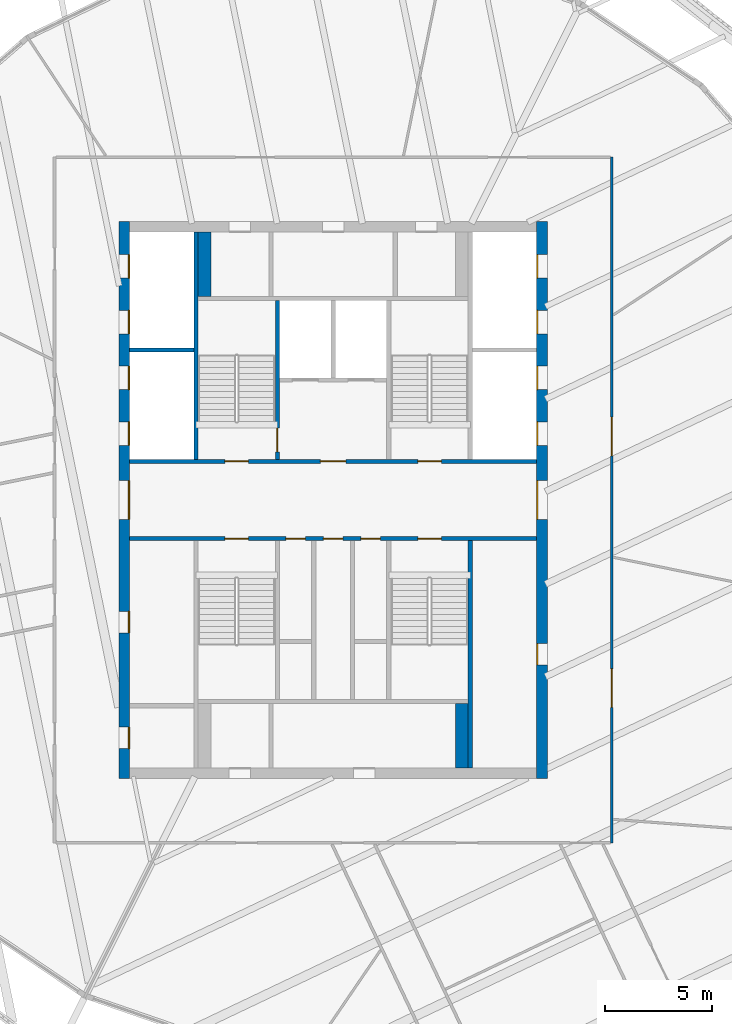
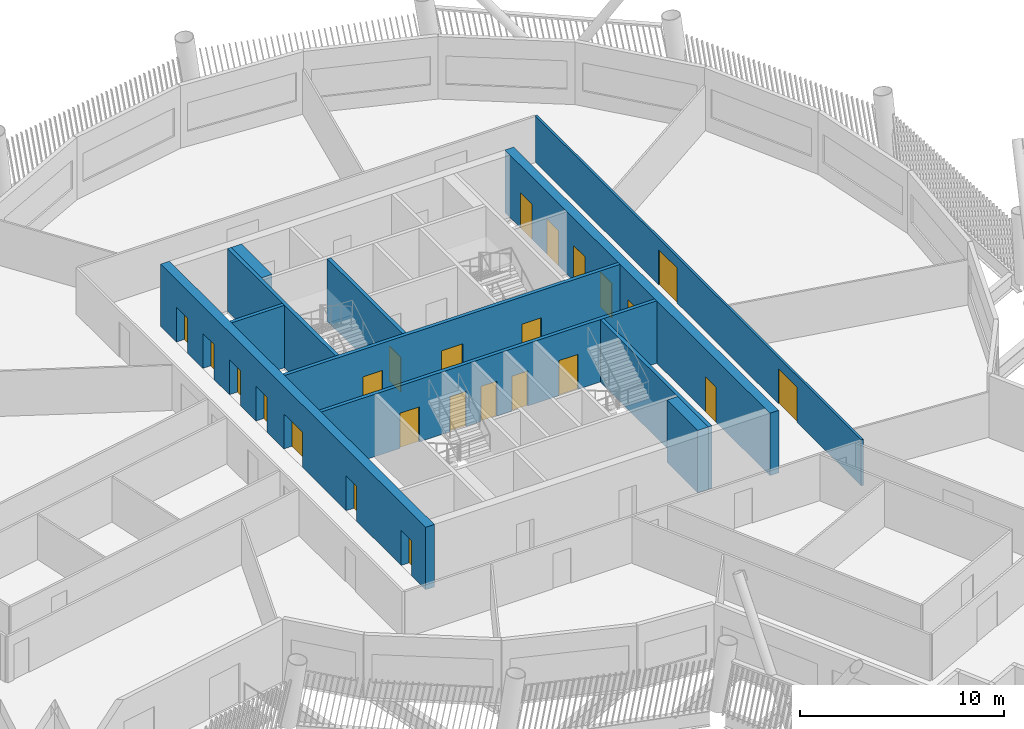
# One storey, part 5 of 21: 24 doors, 11 walls, 24 openings.
"""IFC4 building model written with IfcOpenShell, lengths in metres."""

import ifcopenshell
import ifcopenshell.guid

model = None  # the IFC model being written
_history = None  # IfcOwnerHistory: only IFC2X3 demands one
_inside = {}  # id of a spatial element -> (the spatial element, [elements in it])
_under = {}  # id of a project, library or spatial element -> (it, [spatial elements below it])
_declared = {}  # id of a project -> (the project, [libraries it declares])
_typed = {}  # id of a type object -> (the type object, [elements of that type])
_made_of = {}  # id of a material, layer set ... -> (it, [elements and type objects made of it])


def new_model(schema):
    """Start an empty IFC model of exactly this schema.

    Asked for "IFC4X3", IfcOpenShell would pick the latest addendum, in which some entities
    have other attributes; the version numbers below select the first issue.
    IFC2X3 requires an IfcOwnerHistory on every rooted entity: one is made here for all.
    """
    global model, _history
    if schema == "IFC4X3":
        model = ifcopenshell.file(schema_version=(4, 3, 0, 0))
    else:
        model = ifcopenshell.file(schema=schema)
    _inside.clear()
    _under.clear()
    _declared.clear()
    _typed.clear()
    _made_of.clear()
    _history = None
    if model.schema == "IFC2X3":
        org = make("IfcOrganization", Name="unknown")
        user = make(
            "IfcPersonAndOrganization",
            ThePerson=make("IfcPerson", FamilyName="unknown"),
            TheOrganization=org,
        )
        app = make(
            "IfcApplication",
            ApplicationDeveloper=org,
            Version="unknown",
            ApplicationFullName="unknown",
            ApplicationIdentifier="unknown",
        )
        _history = make(
            "IfcOwnerHistory",
            OwningUser=user,
            OwningApplication=app,
            ChangeAction="ADDED",
            CreationDate=0,
        )
    return model


def make(cls, **values):
    """One entity of the class cls with the attributes given. An attribute that is None is left unset."""
    return model.create_entity(
        cls, **{name: value for name, value in values.items() if value is not None}
    )


def rooted(cls, **values):
    """An entity with a GlobalId (a new one), such as an element, a storey or a relation."""
    return make(cls, GlobalId=ifcopenshell.guid.new(), OwnerHistory=_history, **values)


def si_unit(unit_type, name, prefix=None):
    """IfcSIUnit, for example si_unit("LENGTHUNIT", "METRE", prefix="MILLI")."""
    return make("IfcSIUnit", UnitType=unit_type, Prefix=prefix, Name=name)


def assignment(units):
    """IfcUnitAssignment: the units of a project."""
    return None if units is None else make("IfcUnitAssignment", Units=units)


def point(xyz):
    """IfcCartesianPoint."""
    return None if xyz is None else make("IfcCartesianPoint", Coordinates=xyz)


def direction(xyz):
    """IfcDirection."""
    return None if xyz is None else make("IfcDirection", DirectionRatios=xyz)


def frame(location, z_axis=None, x_axis=None):
    """IfcAxis2Placement3D, a coordinate frame: its origin and axes. An axis left out is left unset."""
    return make(
        "IfcAxis2Placement3D",
        Location=point(location),
        Axis=direction(z_axis),
        RefDirection=direction(x_axis),
    )


def frame_2d(location, x_axis=None):
    """IfcAxis2Placement2D, a coordinate frame in the plane: its origin and x axis."""
    return make(
        "IfcAxis2Placement2D", Location=point(location), RefDirection=direction(x_axis)
    )


def origin():
    """The frame at (0, 0, 0) with its axes left unset."""
    return frame((0.0, 0.0, 0.0))


def place(relative_to, where):
    """IfcLocalPlacement: puts the frame where relative to a parent placement (None: the world)."""
    return make(
        "IfcLocalPlacement", PlacementRelTo=relative_to, RelativePlacement=where
    )


def context(
    kind, dimensions, precision=None, world=None, true_north=None, identifier=None
):
    """IfcGeometricRepresentationContext, for example the 3D "Model" context."""
    return make(
        "IfcGeometricRepresentationContext",
        ContextIdentifier=identifier,
        ContextType=kind,
        CoordinateSpaceDimension=dimensions,
        Precision=precision,
        WorldCoordinateSystem=world,
        TrueNorth=true_north,
    )


def subcontext(parent, identifier, kind, view, scale=None):
    """IfcGeometricRepresentationSubContext, for example "Body" below "Model"."""
    return make(
        "IfcGeometricRepresentationSubContext",
        ContextIdentifier=identifier,
        ContextType=kind,
        ParentContext=parent,
        TargetScale=scale,
        TargetView=view,
    )


def project(units=None, contexts=None):
    """IfcProject with its units and contexts."""
    return rooted(
        "IfcProject",
        Name="project",
        RepresentationContexts=contexts,
        UnitsInContext=assignment(units),
    )


def spatial(cls, under=None, at=None, **own):
    """A site, building, storey or space (cls), placed at a placement, below another one or the project."""
    s = rooted(cls, ObjectPlacement=at, **own)
    if under is not None:
        _under.setdefault(under.id(), (under, []))[1].append(s)
    return s


def profile(cls, at=None, kind="AREA", **sizes):
    """A parametric profile (cls). Its sizes go by their IFC names, for example OverallWidth=200.0."""
    return make(cls, ProfileType=kind, Position=at, **sizes)


def rectangle(**sizes):
    """IfcRectangleProfileDef."""
    return profile("IfcRectangleProfileDef", **sizes)


def extrude(swept, where, along, depth):
    """IfcExtrudedAreaSolid: the profile swept, set in the frame where, extruded along a direction by depth."""
    return make(
        "IfcExtrudedAreaSolid",
        SweptArea=swept,
        Position=where,
        ExtrudedDirection=direction(along),
        Depth=depth,
    )


def shape(context_of_items, identifier, shape_type, items):
    """IfcShapeRepresentation: the items that make up one representation, for example the "Body"."""
    return make(
        "IfcShapeRepresentation",
        ContextOfItems=context_of_items,
        RepresentationIdentifier=identifier,
        RepresentationType=shape_type,
        Items=items,
    )


def material(Name=None, Category=None):
    """IfcMaterial."""
    return make("IfcMaterial", Name=Name, Category=Category)


def layer(
    of_material, thickness, ventilated=None, Name=None, Category=None, Priority=None
):
    """IfcMaterialLayer: one layer of a wall or slab, of a material (None: an air gap)."""
    return make(
        "IfcMaterialLayer",
        Material=of_material,
        LayerThickness=thickness,
        IsVentilated=ventilated,
        Name=Name,
        Category=Category,
        Priority=Priority,
    )


def layer_set(layers, Name=None):
    """IfcMaterialLayerSet."""
    return make("IfcMaterialLayerSet", MaterialLayers=layers, LayerSetName=Name)


def made_of(thing, what):
    """Note that an element or type object is made of a material, layer set ...; save() writes the relation."""
    if what is not None:
        _made_of.setdefault(what.id(), (what, []))[1].append(thing)
    return thing


def type_object(cls, material=None, **own):
    """A type object (cls), such as IfcWallType, which elements share."""
    return made_of(rooted(cls, **own), material)


def element(
    cls,
    number,
    at=None,
    inside=None,
    cuts=None,
    type_object=None,
    material=None,
    context=None,
    identifier="Body",
    shape_type=None,
    held_by="IfcProductDefinitionShape",
    body=None,
    shapes=None,
    **own,
):
    """One element of the class cls, such as IfcWall. Its Tag is "e" and its number.

    at: its placement. inside: the storey or other place that contains it. cuts: it is an
    opening in that element (IfcRelVoidsElement). A single representation is given by context,
    identifier, shape_type and body (its items); several are given by shapes. held_by: the class
    of the entity that holds the representations. save() writes the other relations.
    """
    e = rooted(cls, Tag="e%d" % number, ObjectPlacement=at, **own)
    if body is not None:
        shapes = [shape(context, identifier, shape_type, body)]
    if shapes is not None:
        e.Representation = make(held_by, Representations=shapes)
    if inside is not None:
        _inside.setdefault(inside.id(), (inside, []))[1].append(e)
    if cuts is not None:
        rooted(
            "IfcRelVoidsElement", RelatingBuildingElement=cuts, RelatedOpeningElement=e
        )
    if type_object is not None:
        _typed.setdefault(type_object.id(), (type_object, []))[1].append(e)
    return made_of(e, material)


def fill(opening, filler):
    """IfcRelFillsElement: the door or window that sits in an opening."""
    return rooted(
        "IfcRelFillsElement",
        RelatingOpeningElement=opening,
        RelatedBuildingElement=filler,
    )


def aggregate(whole, parts):
    """IfcRelAggregates: a whole, such as a stair, and the parts it consists of."""
    return rooted("IfcRelAggregates", RelatingObject=whole, RelatedObjects=parts)


def save(model, path):
    """Write the relations noted so far, then the file.

    IfcRelAggregates (storeys below a building ...), IfcRelContainedInSpatialStructure (elements
    in a storey), IfcRelDefinesByType, IfcRelAssociatesMaterial and IfcRelDeclares: one each for
    every whole, place, type object, material and project.
    """
    for whole, parts in _under.values():
        aggregate(whole, parts)
    for where, things in _inside.values():
        rooted(
            "IfcRelContainedInSpatialStructure",
            RelatedElements=things,
            RelatingStructure=where,
        )
    for kind, things in _typed.values():
        rooted("IfcRelDefinesByType", RelatedObjects=things, RelatingType=kind)
    for what, things in _made_of.values():
        rooted("IfcRelAssociatesMaterial", RelatedObjects=things, RelatingMaterial=what)
    for by, libraries in _declared.values():
        rooted("IfcRelDeclares", RelatingContext=by, RelatedDefinitions=libraries)
    model.write(path)


model = new_model("IFC4")

# Units and contexts
model_context = context("Model", 3, precision=1e-05, world=origin(), true_north=direction((0.0, 1.0)))
body_context = subcontext(model_context, "Body", "Model", "MODEL_VIEW")
ifc_project = project(units=[si_unit("LENGTHUNIT", "METRE"), si_unit("AREAUNIT", "SQUARE_METRE"), si_unit("VOLUMEUNIT", "CUBIC_METRE"), si_unit("PLANEANGLEUNIT", "RADIAN"), si_unit("MASSUNIT", "GRAM", prefix="KILO")], contexts=[model_context])

# Site, building, storey
site_placement = place(None, origin())
site = spatial("IfcSite", under=ifc_project, at=site_placement, CompositionType="ELEMENT")
building_placement = place(site_placement, origin())
building = spatial("IfcBuilding", under=site, at=building_placement, Name="Tarsis Ring Headquarters", CompositionType="ELEMENT")
storey_placement = place(building_placement, frame((0.0, 0.0, 331.39990234375)))
storey = spatial("IfcBuildingStorey", under=building, at=storey_placement, Name="L78", CompositionType="ELEMENT", Elevation=331.39990234375)

# Wall, openings, doors
ifc_material_1 = material(Name="Concrete C50/60", Category="concrete")
ifc_layer_1 = layer(ifc_material_1, 0.5)
ifc_layer_set_1 = layer_set([ifc_layer_1], Name="Core wall 500 C50/60")
wall_type_1 = type_object("IfcWallType", Name="Core wall 500 C50/60", PredefinedType="SHEAR", material=ifc_layer_set_1)
wall_1_placement = place(storey_placement, frame((-9.75, -13.0, 0.0), z_axis=(0.0, 0.0, 1.0), x_axis=(0.0, 1.0, 0.0)))
wall_1 = element("IfcWall", 1, at=wall_1_placement, inside=storey, type_object=wall_type_1, Name="Core wall OW", PredefinedType="SHEAR", context=body_context, shape_type="SweptSolid", body=[
    extrude(rectangle(XDim=26.0, YDim=0.5, at=frame_2d((13.0, 0.0))), origin(), (0.0, 0.0, 1.0), 3.739990234375),
])
opening_1_placement = place(wall_1_placement, frame((1.39990234375, 0.0, 0.0)))
opening_1 = element("IfcOpeningElement", 2, at=opening_1_placement, cuts=wall_1, Name="Opening L78-C01", PredefinedType="OPENING", context=body_context, shape_type="SweptSolid", body=[
    extrude(rectangle(XDim=1.0, YDim=2.10009765625, at=frame_2d((0.5, 1.050048828125))), frame((0.0, 0.260009765625, 0.0), z_axis=(0.0, -1.0, 0.0), x_axis=(1.0, 0.0, 0.0)), (0.0, 0.0, 1.0), 0.52001953125),
])
opening_2_placement = place(wall_1_placement, frame((6.800048828125, 0.0, 0.0)))
opening_2 = element("IfcOpeningElement", 3, at=opening_2_placement, cuts=wall_1, Name="Opening L78-C02", PredefinedType="OPENING", context=body_context, shape_type="SweptSolid", body=[
    extrude(rectangle(XDim=1.0, YDim=2.10009765625, at=frame_2d((0.5, 1.050048828125))), frame((0.0, 0.260009765625, 0.0), z_axis=(0.0, -1.0, 0.0), x_axis=(1.0, 0.0, 0.0)), (0.0, 0.0, 1.0), 0.52001953125),
])
opening_3_placement = place(wall_1_placement, frame((12.10009765625, 0.0, 0.0)))
opening_3 = element("IfcOpeningElement", 4, at=opening_3_placement, cuts=wall_1, Name="Opening L78-C03", PredefinedType="OPENING", context=body_context, shape_type="SweptSolid", body=[
    extrude(rectangle(XDim=1.800048828125, YDim=2.10009765625, at=frame_2d((0.89990234375, 1.050048828125))), frame((0.0, 0.260009765625, 0.0), z_axis=(0.0, -1.0, 0.0), x_axis=(1.0, 0.0, 0.0)), (0.0, 0.0, 1.0), 0.52001953125),
])
opening_4_placement = place(wall_1_placement, frame((15.550048828125, 0.0, 0.0)))
opening_4 = element("IfcOpeningElement", 5, at=opening_4_placement, cuts=wall_1, Name="Opening LD-HR1", PredefinedType="OPENING", context=body_context, shape_type="SweptSolid", body=[
    extrude(rectangle(XDim=1.10009765625, YDim=2.10009765625, at=frame_2d((0.550048828125, 1.050048828125))), frame((0.0, 0.260009765625, 0.0), z_axis=(0.0, -1.0, 0.0), x_axis=(1.0, 0.0, 0.0)), (0.0, 0.0, 1.0), 0.52001953125),
])
opening_5_placement = place(wall_1_placement, frame((18.14990234375, 0.0, 0.0)))
opening_5 = element("IfcOpeningElement", 6, at=opening_5_placement, cuts=wall_1, Name="Opening LD-HR2", PredefinedType="OPENING", context=body_context, shape_type="SweptSolid", body=[
    extrude(rectangle(XDim=1.10009765625, YDim=2.10009765625, at=frame_2d((0.550048828125, 1.050048828125))), frame((0.0, 0.260009765625, 0.0), z_axis=(0.0, -1.0, 0.0), x_axis=(1.0, 0.0, 0.0)), (0.0, 0.0, 1.0), 0.52001953125),
])
opening_6_placement = place(wall_1_placement, frame((20.75, 0.0, 0.0)))
opening_6 = element("IfcOpeningElement", 7, at=opening_6_placement, cuts=wall_1, Name="Opening LD-HR3", PredefinedType="OPENING", context=body_context, shape_type="SweptSolid", body=[
    extrude(rectangle(XDim=1.10009765625, YDim=2.10009765625, at=frame_2d((0.550048828125, 1.050048828125))), frame((0.0, 0.260009765625, 0.0), z_axis=(0.0, -1.0, 0.0), x_axis=(1.0, 0.0, 0.0)), (0.0, 0.0, 1.0), 0.52001953125),
])
opening_7_placement = place(wall_1_placement, frame((23.35009765625, 0.0, 0.0)))
opening_7 = element("IfcOpeningElement", 8, at=opening_7_placement, cuts=wall_1, Name="Opening LD-HR4", PredefinedType="OPENING", context=body_context, shape_type="SweptSolid", body=[
    extrude(rectangle(XDim=1.10009765625, YDim=2.10009765625, at=frame_2d((0.550048828125, 1.050048828125))), frame((0.0, 0.260009765625, 0.0), z_axis=(0.0, -1.0, 0.0), x_axis=(1.0, 0.0, 0.0)), (0.0, 0.0, 1.0), 0.52001953125),
])
ifc_material_2 = material(Name="Steel S355", Category="steel")
door_type_1 = type_object("IfcDoorType", Name="Core entry door 1800x2100", OperationType="DOUBLE_DOOR_SINGLE_SWING", PredefinedType="DOOR", material=ifc_material_2)
door_1_placement = place(opening_3_placement, origin())
door_1 = element("IfcDoor", 9, at=door_1_placement, inside=storey, type_object=door_type_1, Name="Core entry door L78", OperationType="DOUBLE_DOOR_SINGLE_SWING", OverallHeight=2.10009765625, OverallWidth=1.800048828125, PredefinedType="DOOR", context=body_context, shape_type="SweptSolid", body=[
    extrude(rectangle(XDim=1.800048828125, YDim=2.10009765625, at=frame_2d((0.89990234375, 1.050048828125))), frame((0.0, -0.2001953125, 0.0), z_axis=(0.0, -1.0, 0.0), x_axis=(1.0, 0.0, 0.0)), (0.0, 0.0, 1.0), 0.050048828125),
])
fill(opening_3, door_1)
door_type_2 = type_object("IfcDoorType", Name="Core room door 1000x2100", OperationType="SINGLE_SWING_LEFT", PredefinedType="DOOR", material=ifc_material_2)
door_2_placement = place(opening_1_placement, origin())
door_2 = element("IfcDoor", 10, at=door_2_placement, inside=storey, type_object=door_type_2, Name="Core room door L78", OperationType="SINGLE_SWING_LEFT", OverallHeight=2.10009765625, OverallWidth=1.0, PredefinedType="DOOR", context=body_context, shape_type="SweptSolid", body=[
    extrude(rectangle(XDim=1.0, YDim=2.10009765625, at=frame_2d((0.5, 1.050048828125))), frame((0.0, -0.2001953125, 0.0), z_axis=(0.0, -1.0, 0.0), x_axis=(1.0, 0.0, 0.0)), (0.0, 0.0, 1.0), 0.050048828125),
])
fill(opening_1, door_2)
door_3_placement = place(opening_2_placement, origin())
door_3 = element("IfcDoor", 11, at=door_3_placement, inside=storey, type_object=door_type_2, Name="Core room door L78", OperationType="SINGLE_SWING_LEFT", OverallHeight=2.10009765625, OverallWidth=1.0, PredefinedType="DOOR", context=body_context, shape_type="SweptSolid", body=[
    extrude(rectangle(XDim=1.0, YDim=2.10009765625, at=frame_2d((0.5, 1.050048828125))), frame((0.0, -0.2001953125, 0.0), z_axis=(0.0, -1.0, 0.0), x_axis=(1.0, 0.0, 0.0)), (0.0, 0.0, 1.0), 0.050048828125),
])
fill(opening_2, door_3)
door_type_3 = type_object("IfcDoorType", Name="Landing door 1100x2100", OperationType="SLIDING_TO_LEFT", PredefinedType="DOOR", material=ifc_material_2)
door_4_placement = place(opening_4_placement, origin())
door_4 = element("IfcDoor", 12, at=door_4_placement, inside=storey, type_object=door_type_3, Name="Landing door HR1 L78", OperationType="SLIDING_TO_LEFT", OverallHeight=2.10009765625, OverallWidth=1.10009765625, PredefinedType="DOOR", context=body_context, shape_type="SweptSolid", body=[
    extrude(rectangle(XDim=1.10009765625, YDim=2.10009765625, at=frame_2d((0.550048828125, 1.050048828125))), frame((0.0, -0.2001953125, 0.0), z_axis=(0.0, -1.0, 0.0), x_axis=(1.0, 0.0, 0.0)), (0.0, 0.0, 1.0), 0.050048828125),
])
fill(opening_4, door_4)
door_5_placement = place(opening_5_placement, origin())
door_5 = element("IfcDoor", 13, at=door_5_placement, inside=storey, type_object=door_type_3, Name="Landing door HR2 L78", OperationType="SLIDING_TO_LEFT", OverallHeight=2.10009765625, OverallWidth=1.10009765625, PredefinedType="DOOR", context=body_context, shape_type="SweptSolid", body=[
    extrude(rectangle(XDim=1.10009765625, YDim=2.10009765625, at=frame_2d((0.550048828125, 1.050048828125))), frame((0.0, -0.2001953125, 0.0), z_axis=(0.0, -1.0, 0.0), x_axis=(1.0, 0.0, 0.0)), (0.0, 0.0, 1.0), 0.050048828125),
])
fill(opening_5, door_5)
door_6_placement = place(opening_6_placement, origin())
door_6 = element("IfcDoor", 14, at=door_6_placement, inside=storey, type_object=door_type_3, Name="Landing door HR3 L78", OperationType="SLIDING_TO_LEFT", OverallHeight=2.10009765625, OverallWidth=1.10009765625, PredefinedType="DOOR", context=body_context, shape_type="SweptSolid", body=[
    extrude(rectangle(XDim=1.10009765625, YDim=2.10009765625, at=frame_2d((0.550048828125, 1.050048828125))), frame((0.0, -0.2001953125, 0.0), z_axis=(0.0, -1.0, 0.0), x_axis=(1.0, 0.0, 0.0)), (0.0, 0.0, 1.0), 0.050048828125),
])
fill(opening_6, door_6)
door_7_placement = place(opening_7_placement, origin())
door_7 = element("IfcDoor", 15, at=door_7_placement, inside=storey, type_object=door_type_3, Name="Landing door HR4 L78", OperationType="SLIDING_TO_LEFT", OverallHeight=2.10009765625, OverallWidth=1.10009765625, PredefinedType="DOOR", context=body_context, shape_type="SweptSolid", body=[
    extrude(rectangle(XDim=1.10009765625, YDim=2.10009765625, at=frame_2d((0.550048828125, 1.050048828125))), frame((0.0, -0.2001953125, 0.0), z_axis=(0.0, -1.0, 0.0), x_axis=(1.0, 0.0, 0.0)), (0.0, 0.0, 1.0), 0.050048828125),
])
fill(opening_7, door_7)

wall_2_placement = place(storey_placement, frame((9.75, -13.0, 0.0), z_axis=(0.0, 0.0, 1.0), x_axis=(0.0, 1.0, 0.0)))
wall_2 = element("IfcWall", 16, at=wall_2_placement, inside=storey, type_object=wall_type_1, Name="Core wall OE", PredefinedType="SHEAR", context=body_context, shape_type="SweptSolid", body=[
    extrude(rectangle(XDim=26.0, YDim=0.5, at=frame_2d((13.0, 0.0))), origin(), (0.0, 0.0, 1.0), 3.739990234375),
])
opening_8_placement = place(wall_2_placement, frame((5.300048828125, 0.0, 0.0)))
opening_8 = element("IfcOpeningElement", 17, at=opening_8_placement, cuts=wall_2, Name="Opening L78-C08", PredefinedType="OPENING", context=body_context, shape_type="SweptSolid", body=[
    extrude(rectangle(XDim=1.0, YDim=2.10009765625, at=frame_2d((0.5, 1.050048828125))), frame((0.0, 0.260009765625, 0.0), z_axis=(0.0, -1.0, 0.0), x_axis=(1.0, 0.0, 0.0)), (0.0, 0.0, 1.0), 0.52001953125),
])
opening_9_placement = place(wall_2_placement, frame((12.10009765625, 0.0, 0.0)))
opening_9 = element("IfcOpeningElement", 18, at=opening_9_placement, cuts=wall_2, Name="Opening L78-C09", PredefinedType="OPENING", context=body_context, shape_type="SweptSolid", body=[
    extrude(rectangle(XDim=1.800048828125, YDim=2.10009765625, at=frame_2d((0.89990234375, 1.050048828125))), frame((0.0, 0.260009765625, 0.0), z_axis=(0.0, -1.0, 0.0), x_axis=(1.0, 0.0, 0.0)), (0.0, 0.0, 1.0), 0.52001953125),
])
opening_10_placement = place(wall_2_placement, frame((15.550048828125, 0.0, 0.0)))
opening_10 = element("IfcOpeningElement", 19, at=opening_10_placement, cuts=wall_2, Name="Opening LD-HR5", PredefinedType="OPENING", context=body_context, shape_type="SweptSolid", body=[
    extrude(rectangle(XDim=1.10009765625, YDim=2.10009765625, at=frame_2d((0.550048828125, 1.050048828125))), frame((0.0, 0.260009765625, 0.0), z_axis=(0.0, -1.0, 0.0), x_axis=(1.0, 0.0, 0.0)), (0.0, 0.0, 1.0), 0.52001953125),
])
opening_11_placement = place(wall_2_placement, frame((18.14990234375, 0.0, 0.0)))
opening_11 = element("IfcOpeningElement", 20, at=opening_11_placement, cuts=wall_2, Name="Opening LD-HR6", PredefinedType="OPENING", context=body_context, shape_type="SweptSolid", body=[
    extrude(rectangle(XDim=1.10009765625, YDim=2.10009765625, at=frame_2d((0.550048828125, 1.050048828125))), frame((0.0, 0.260009765625, 0.0), z_axis=(0.0, -1.0, 0.0), x_axis=(1.0, 0.0, 0.0)), (0.0, 0.0, 1.0), 0.52001953125),
])
opening_12_placement = place(wall_2_placement, frame((20.75, 0.0, 0.0)))
opening_12 = element("IfcOpeningElement", 21, at=opening_12_placement, cuts=wall_2, Name="Opening LD-HR7", PredefinedType="OPENING", context=body_context, shape_type="SweptSolid", body=[
    extrude(rectangle(XDim=1.10009765625, YDim=2.10009765625, at=frame_2d((0.550048828125, 1.050048828125))), frame((0.0, 0.260009765625, 0.0), z_axis=(0.0, -1.0, 0.0), x_axis=(1.0, 0.0, 0.0)), (0.0, 0.0, 1.0), 0.52001953125),
])
opening_13_placement = place(wall_2_placement, frame((23.35009765625, 0.0, 0.0)))
opening_13 = element("IfcOpeningElement", 22, at=opening_13_placement, cuts=wall_2, Name="Opening LD-HR8", PredefinedType="OPENING", context=body_context, shape_type="SweptSolid", body=[
    extrude(rectangle(XDim=1.10009765625, YDim=2.10009765625, at=frame_2d((0.550048828125, 1.050048828125))), frame((0.0, 0.260009765625, 0.0), z_axis=(0.0, -1.0, 0.0), x_axis=(1.0, 0.0, 0.0)), (0.0, 0.0, 1.0), 0.52001953125),
])
door_8_placement = place(opening_9_placement, origin())
door_8 = element("IfcDoor", 23, at=door_8_placement, inside=storey, type_object=door_type_1, Name="Core entry door L78", OperationType="DOUBLE_DOOR_SINGLE_SWING", OverallHeight=2.10009765625, OverallWidth=1.800048828125, PredefinedType="DOOR", context=body_context, shape_type="SweptSolid", body=[
    extrude(rectangle(XDim=1.800048828125, YDim=2.10009765625, at=frame_2d((0.89990234375, 1.050048828125))), frame((0.0, 0.25, 0.0), z_axis=(0.0, -1.0, 0.0), x_axis=(1.0, 0.0, 0.0)), (0.0, 0.0, 1.0), 0.050048828125),
])
fill(opening_9, door_8)
door_9_placement = place(opening_8_placement, origin())
door_9 = element("IfcDoor", 24, at=door_9_placement, inside=storey, type_object=door_type_2, Name="Core room door L78", OperationType="SINGLE_SWING_LEFT", OverallHeight=2.10009765625, OverallWidth=1.0, PredefinedType="DOOR", context=body_context, shape_type="SweptSolid", body=[
    extrude(rectangle(XDim=1.0, YDim=2.10009765625, at=frame_2d((0.5, 1.050048828125))), frame((0.0, 0.25, 0.0), z_axis=(0.0, -1.0, 0.0), x_axis=(1.0, 0.0, 0.0)), (0.0, 0.0, 1.0), 0.050048828125),
])
fill(opening_8, door_9)
door_10_placement = place(opening_10_placement, origin())
door_10 = element("IfcDoor", 25, at=door_10_placement, inside=storey, type_object=door_type_3, Name="Landing door HR5 L78", OperationType="SLIDING_TO_LEFT", OverallHeight=2.10009765625, OverallWidth=1.10009765625, PredefinedType="DOOR", context=body_context, shape_type="SweptSolid", body=[
    extrude(rectangle(XDim=1.10009765625, YDim=2.10009765625, at=frame_2d((0.550048828125, 1.050048828125))), frame((0.0, 0.25, 0.0), z_axis=(0.0, -1.0, 0.0), x_axis=(1.0, 0.0, 0.0)), (0.0, 0.0, 1.0), 0.050048828125),
])
fill(opening_10, door_10)
door_11_placement = place(opening_11_placement, origin())
door_11 = element("IfcDoor", 26, at=door_11_placement, inside=storey, type_object=door_type_3, Name="Landing door HR6 L78", OperationType="SLIDING_TO_LEFT", OverallHeight=2.10009765625, OverallWidth=1.10009765625, PredefinedType="DOOR", context=body_context, shape_type="SweptSolid", body=[
    extrude(rectangle(XDim=1.10009765625, YDim=2.10009765625, at=frame_2d((0.550048828125, 1.050048828125))), frame((0.0, 0.25, 0.0), z_axis=(0.0, -1.0, 0.0), x_axis=(1.0, 0.0, 0.0)), (0.0, 0.0, 1.0), 0.050048828125),
])
fill(opening_11, door_11)
door_12_placement = place(opening_12_placement, origin())
door_12 = element("IfcDoor", 27, at=door_12_placement, inside=storey, type_object=door_type_3, Name="Landing door HR7 L78", OperationType="SLIDING_TO_LEFT", OverallHeight=2.10009765625, OverallWidth=1.10009765625, PredefinedType="DOOR", context=body_context, shape_type="SweptSolid", body=[
    extrude(rectangle(XDim=1.10009765625, YDim=2.10009765625, at=frame_2d((0.550048828125, 1.050048828125))), frame((0.0, 0.25, 0.0), z_axis=(0.0, -1.0, 0.0), x_axis=(1.0, 0.0, 0.0)), (0.0, 0.0, 1.0), 0.050048828125),
])
fill(opening_12, door_12)
door_13_placement = place(opening_13_placement, origin())
door_13 = element("IfcDoor", 28, at=door_13_placement, inside=storey, type_object=door_type_3, Name="Landing door HR8 L78", OperationType="SLIDING_TO_LEFT", OverallHeight=2.10009765625, OverallWidth=1.10009765625, PredefinedType="DOOR", context=body_context, shape_type="SweptSolid", body=[
    extrude(rectangle(XDim=1.10009765625, YDim=2.10009765625, at=frame_2d((0.550048828125, 1.050048828125))), frame((0.0, 0.25, 0.0), z_axis=(0.0, -1.0, 0.0), x_axis=(1.0, 0.0, 0.0)), (0.0, 0.0, 1.0), 0.050048828125),
])
fill(opening_13, door_13)

ifc_material_3 = material(Name="Gypsum board on steel studs", Category="steel")
ifc_layer_2 = layer(ifc_material_3, 0.125)
ifc_layer_set_2 = layer_set([ifc_layer_2], Name="FL partition 125 EI 60 H2770")
wall_type_2 = type_object("IfcWallType", Name="FL partition 125 EI 60 H2770", PredefinedType="PARTITIONING", material=ifc_layer_set_2)
wall_3_placement = place(storey_placement, frame((13.0, -16.0, 0.0), z_axis=(0.0, 0.0, 1.0), x_axis=(0.0, 1.0, 0.0)))
wall_3 = element("IfcWall", 29, at=wall_3_placement, inside=storey, type_object=wall_type_2, Name="Partition PW1", PredefinedType="PARTITIONING", context=body_context, shape_type="SweptSolid", body=[
    extrude(rectangle(XDim=32.0, YDim=0.125, at=frame_2d((16.0, 0.0))), origin(), (0.0, 0.0, 1.0), 2.77001953125),
])
opening_14_placement = place(wall_3_placement, frame((18.06298828125, 0.0, 0.0)))
opening_14 = element("IfcOpeningElement", 30, at=opening_14_placement, cuts=wall_3, Name="Opening D78.07", PredefinedType="OPENING", context=body_context, shape_type="SweptSolid", body=[
    extrude(rectangle(XDim=1.800048828125, YDim=2.10009765625, at=frame_2d((0.89990234375, 1.050048828125))), frame((0.0, 0.072509765625, 0.0), z_axis=(0.0, -1.0, 0.0), x_axis=(1.0, 0.0, 0.0)), (0.0, 0.0, 1.0), 0.14501953125),
])
opening_15_placement = place(wall_3_placement, frame((6.319580078125, 0.0, 0.0)))
opening_15 = element("IfcOpeningElement", 31, at=opening_15_placement, cuts=wall_3, Name="Opening D78.08", PredefinedType="OPENING", context=body_context, shape_type="SweptSolid", body=[
    extrude(rectangle(XDim=1.800048828125, YDim=2.10009765625, at=frame_2d((0.89990234375, 1.050048828125))), frame((0.0, 0.072509765625, 0.0), z_axis=(0.0, -1.0, 0.0), x_axis=(1.0, 0.0, 0.0)), (0.0, 0.0, 1.0), 0.14501953125),
])
ifc_material_4 = material(Name="Fire-rated timber door leaf in steel frame", Category="steel")
door_type_4 = type_object("IfcDoorType", Name="FL door FD60-1800", OperationType="DOUBLE_DOOR_SINGLE_SWING", PredefinedType="DOOR", material=ifc_material_4)
door_14_placement = place(opening_14_placement, origin())
door_14 = element("IfcDoor", 32, at=door_14_placement, inside=storey, type_object=door_type_4, Name="Door D78.07", OperationType="DOUBLE_DOOR_SINGLE_SWING", OverallHeight=2.10009765625, OverallWidth=1.800048828125, PredefinedType="DOOR", context=body_context, shape_type="SweptSolid", body=[
    extrude(rectangle(XDim=1.800048828125, YDim=2.10009765625, at=frame_2d((0.89990234375, 1.050048828125))), frame((0.0, 0.02490234375, 0.0), z_axis=(0.0, -1.0, 0.0), x_axis=(1.0, 0.0, 0.0)), (0.0, 0.0, 1.0), 0.050048828125),
])
fill(opening_14, door_14)
door_15_placement = place(opening_15_placement, origin())
door_15 = element("IfcDoor", 33, at=door_15_placement, inside=storey, type_object=door_type_4, Name="Door D78.08", OperationType="DOUBLE_DOOR_SINGLE_SWING", OverallHeight=2.10009765625, OverallWidth=1.800048828125, PredefinedType="DOOR", context=body_context, shape_type="SweptSolid", body=[
    extrude(rectangle(XDim=1.800048828125, YDim=2.10009765625, at=frame_2d((0.89990234375, 1.050048828125))), frame((0.0, 0.02490234375, 0.0), z_axis=(0.0, -1.0, 0.0), x_axis=(1.0, 0.0, 0.0)), (0.0, 0.0, 1.0), 0.050048828125),
])
fill(opening_15, door_15)

# Walls
ifc_material_5 = material(Name="Concrete C32/40", Category="concrete")
ifc_layer_3 = layer(ifc_material_5, 0.60009765625)
ifc_layer_set_3 = layer_set([ifc_layer_3], Name="Shaft end wall 600 C32/40")
wall_type_3 = type_object("IfcWallType", Name="Shaft end wall 600 C32/40", PredefinedType="SOLIDWALL", material=ifc_layer_set_3)
for number, where, z_axis, x_axis, name in (
    (34, (-6.0, 9.5, 0.0), (0.0, 0.0, 1.0), (0.0, 1.0, 0.0), "Core shaft wall NNE1"),
    (35, (6.0, -12.5, 0.0), (0.0, 0.0, 1.0), (0.0, 1.0, 0.0), "Core shaft wall SNE2"),
):
    element("IfcWall", number, at=place(storey_placement, frame(where, z_axis=z_axis, x_axis=x_axis)), inside=storey, type_object=wall_type_3, Name=name, PredefinedType="SOLIDWALL", context=body_context, shape_type="SweptSolid", body=[
        extrude(rectangle(XDim=3.0, YDim=0.60009765625, at=frame_2d((1.5, 0.0))), origin(), (0.0, 0.0, 1.0), 3.739990234375),
    ])

# Wall, openings, doors
ifc_layer_4 = layer(ifc_material_5, 0.199951171875)
ifc_layer_set_4 = layer_set([ifc_layer_4], Name="Shaft wall 200 C32/40")
wall_type_4 = type_object("IfcWallType", Name="Shaft wall 200 C32/40", PredefinedType="SOLIDWALL", material=ifc_layer_set_4)
wall_4_placement = place(storey_placement, frame((-9.5, 1.800048828125, 0.0), z_axis=(0.0, 0.0, 1.0), x_axis=(1.0, 0.0, 0.0)))
wall_4 = element("IfcWall", 36, at=wall_4_placement, inside=storey, type_object=wall_type_4, Name="Core shaft wall CN", PredefinedType="SOLIDWALL", context=body_context, shape_type="SweptSolid", body=[
    extrude(rectangle(XDim=19.0, YDim=0.199951171875, at=frame_2d((9.5, 0.0))), origin(), (0.0, 0.0, 1.0), 3.739990234375),
])
opening_16_placement = place(wall_4_placement, frame((4.449951171875, 0.0, 0.0)))
opening_16 = element("IfcOpeningElement", 37, at=opening_16_placement, cuts=wall_4, Name="Opening L78-C19", PredefinedType="OPENING", context=body_context, shape_type="SweptSolid", body=[
    extrude(rectangle(XDim=1.10009765625, YDim=2.10009765625, at=frame_2d((0.550048828125, 1.050048828125))), frame((0.0, 0.10986328125, 0.0), z_axis=(0.0, -1.0, 0.0), x_axis=(1.0, 0.0, 0.0)), (0.0, 0.0, 1.0), 0.219970703125),
])
opening_17_placement = place(wall_4_placement, frame((8.89990234375, 0.0, 0.0)))
opening_17 = element("IfcOpeningElement", 38, at=opening_17_placement, cuts=wall_4, Name="Opening L78-C20", PredefinedType="OPENING", context=body_context, shape_type="SweptSolid", body=[
    extrude(rectangle(XDim=1.199951171875, YDim=2.10009765625, at=frame_2d((0.60009765625, 1.050048828125))), frame((0.0, 0.10986328125, 0.0), z_axis=(0.0, -1.0, 0.0), x_axis=(1.0, 0.0, 0.0)), (0.0, 0.0, 1.0), 0.219970703125),
])
opening_18_placement = place(wall_4_placement, frame((13.449951171875, 0.0, 0.0)))
opening_18 = element("IfcOpeningElement", 39, at=opening_18_placement, cuts=wall_4, Name="Opening L78-C21", PredefinedType="OPENING", context=body_context, shape_type="SweptSolid", body=[
    extrude(rectangle(XDim=1.10009765625, YDim=2.10009765625, at=frame_2d((0.550048828125, 1.050048828125))), frame((0.0, 0.10986328125, 0.0), z_axis=(0.0, -1.0, 0.0), x_axis=(1.0, 0.0, 0.0)), (0.0, 0.0, 1.0), 0.219970703125),
])
door_type_5 = type_object("IfcDoorType", Name="Firefighting lobby door 1200x2100", OperationType="DOUBLE_DOOR_SINGLE_SWING", PredefinedType="DOOR", material=ifc_material_2)
door_16_placement = place(opening_17_placement, origin())
door_16 = element("IfcDoor", 40, at=door_16_placement, inside=storey, type_object=door_type_5, Name="Firefighting lobby door L78", OperationType="DOUBLE_DOOR_SINGLE_SWING", OverallHeight=2.10009765625, OverallWidth=1.199951171875, PredefinedType="DOOR", context=body_context, shape_type="SweptSolid", body=[
    extrude(rectangle(XDim=1.199951171875, YDim=2.10009765625, at=frame_2d((0.60009765625, 1.050048828125))), frame((0.0, 0.02490234375, 0.0), z_axis=(0.0, -1.0, 0.0), x_axis=(1.0, 0.0, 0.0)), (0.0, 0.0, 1.0), 0.050048828125),
])
fill(opening_17, door_16)
door_type_6 = type_object("IfcDoorType", Name="Stair door 1100x2100", OperationType="SINGLE_SWING_LEFT", PredefinedType="DOOR", material=ifc_material_2)
door_17_placement = place(opening_16_placement, origin())
door_17 = element("IfcDoor", 41, at=door_17_placement, inside=storey, type_object=door_type_6, Name="Stair door L78", OperationType="SINGLE_SWING_LEFT", OverallHeight=2.10009765625, OverallWidth=1.10009765625, PredefinedType="DOOR", context=body_context, shape_type="SweptSolid", body=[
    extrude(rectangle(XDim=1.10009765625, YDim=2.10009765625, at=frame_2d((0.550048828125, 1.050048828125))), frame((0.0, 0.02490234375, 0.0), z_axis=(0.0, -1.0, 0.0), x_axis=(1.0, 0.0, 0.0)), (0.0, 0.0, 1.0), 0.050048828125),
])
fill(opening_16, door_17)
door_18_placement = place(opening_18_placement, origin())
door_18 = element("IfcDoor", 42, at=door_18_placement, inside=storey, type_object=door_type_6, Name="Stair door L78", OperationType="SINGLE_SWING_LEFT", OverallHeight=2.10009765625, OverallWidth=1.10009765625, PredefinedType="DOOR", context=body_context, shape_type="SweptSolid", body=[
    extrude(rectangle(XDim=1.10009765625, YDim=2.10009765625, at=frame_2d((0.550048828125, 1.050048828125))), frame((0.0, 0.02490234375, 0.0), z_axis=(0.0, -1.0, 0.0), x_axis=(1.0, 0.0, 0.0)), (0.0, 0.0, 1.0), 0.050048828125),
])
fill(opening_18, door_18)

wall_5_placement = place(storey_placement, frame((-9.5, -1.800048828125, 0.0), z_axis=(0.0, 0.0, 1.0), x_axis=(1.0, 0.0, 0.0)))
wall_5 = element("IfcWall", 43, at=wall_5_placement, inside=storey, type_object=wall_type_4, Name="Core shaft wall CS", PredefinedType="SOLIDWALL", context=body_context, shape_type="SweptSolid", body=[
    extrude(rectangle(XDim=19.0, YDim=0.199951171875, at=frame_2d((9.5, 0.0))), origin(), (0.0, 0.0, 1.0), 3.739990234375),
])
opening_19_placement = place(wall_5_placement, frame((4.449951171875, 0.0, 0.0)))
opening_19 = element("IfcOpeningElement", 44, at=opening_19_placement, cuts=wall_5, Name="Opening L78-C22", PredefinedType="OPENING", context=body_context, shape_type="SweptSolid", body=[
    extrude(rectangle(XDim=1.10009765625, YDim=2.10009765625, at=frame_2d((0.550048828125, 1.050048828125))), frame((0.0, 0.10986328125, 0.0), z_axis=(0.0, -1.0, 0.0), x_axis=(1.0, 0.0, 0.0)), (0.0, 0.0, 1.0), 0.219970703125),
])
opening_20_placement = place(wall_5_placement, frame((7.300048828125, 0.0, 0.0)))
opening_20 = element("IfcOpeningElement", 45, at=opening_20_placement, cuts=wall_5, Name="Opening L78-C23", PredefinedType="OPENING", context=body_context, shape_type="SweptSolid", body=[
    extrude(rectangle(XDim=0.89990234375, YDim=2.10009765625, at=frame_2d((0.449951171875, 1.050048828125))), frame((0.0, 0.10986328125, 0.0), z_axis=(0.0, -1.0, 0.0), x_axis=(1.0, 0.0, 0.0)), (0.0, 0.0, 1.0), 0.219970703125),
])
opening_21_placement = place(wall_5_placement, frame((9.050048828125, 0.0, 0.0)))
opening_21 = element("IfcOpeningElement", 46, at=opening_21_placement, cuts=wall_5, Name="Opening L78-C24", PredefinedType="OPENING", context=body_context, shape_type="SweptSolid", body=[
    extrude(rectangle(XDim=0.89990234375, YDim=2.10009765625, at=frame_2d((0.449951171875, 1.050048828125))), frame((0.0, 0.10986328125, 0.0), z_axis=(0.0, -1.0, 0.0), x_axis=(1.0, 0.0, 0.0)), (0.0, 0.0, 1.0), 0.219970703125),
])
opening_22_placement = place(wall_5_placement, frame((10.800048828125, 0.0, 0.0)))
opening_22 = element("IfcOpeningElement", 47, at=opening_22_placement, cuts=wall_5, Name="Opening L78-C25", PredefinedType="OPENING", context=body_context, shape_type="SweptSolid", body=[
    extrude(rectangle(XDim=0.89990234375, YDim=2.10009765625, at=frame_2d((0.449951171875, 1.050048828125))), frame((0.0, 0.10986328125, 0.0), z_axis=(0.0, -1.0, 0.0), x_axis=(1.0, 0.0, 0.0)), (0.0, 0.0, 1.0), 0.219970703125),
])
opening_23_placement = place(wall_5_placement, frame((13.449951171875, 0.0, 0.0)))
opening_23 = element("IfcOpeningElement", 48, at=opening_23_placement, cuts=wall_5, Name="Opening L78-C26", PredefinedType="OPENING", context=body_context, shape_type="SweptSolid", body=[
    extrude(rectangle(XDim=1.10009765625, YDim=2.10009765625, at=frame_2d((0.550048828125, 1.050048828125))), frame((0.0, 0.10986328125, 0.0), z_axis=(0.0, -1.0, 0.0), x_axis=(1.0, 0.0, 0.0)), (0.0, 0.0, 1.0), 0.219970703125),
])
door_19_placement = place(opening_19_placement, origin())
door_19 = element("IfcDoor", 49, at=door_19_placement, inside=storey, type_object=door_type_6, Name="Stair door L78", OperationType="SINGLE_SWING_LEFT", OverallHeight=2.10009765625, OverallWidth=1.10009765625, PredefinedType="DOOR", context=body_context, shape_type="SweptSolid", body=[
    extrude(rectangle(XDim=1.10009765625, YDim=2.10009765625, at=frame_2d((0.550048828125, 1.050048828125))), frame((0.0, 0.02490234375, 0.0), z_axis=(0.0, -1.0, 0.0), x_axis=(1.0, 0.0, 0.0)), (0.0, 0.0, 1.0), 0.050048828125),
])
fill(opening_19, door_19)
door_20_placement = place(opening_23_placement, origin())
door_20 = element("IfcDoor", 50, at=door_20_placement, inside=storey, type_object=door_type_6, Name="Stair door L78", OperationType="SINGLE_SWING_LEFT", OverallHeight=2.10009765625, OverallWidth=1.10009765625, PredefinedType="DOOR", context=body_context, shape_type="SweptSolid", body=[
    extrude(rectangle(XDim=1.10009765625, YDim=2.10009765625, at=frame_2d((0.550048828125, 1.050048828125))), frame((0.0, 0.02490234375, 0.0), z_axis=(0.0, -1.0, 0.0), x_axis=(1.0, 0.0, 0.0)), (0.0, 0.0, 1.0), 0.050048828125),
])
fill(opening_23, door_20)
door_type_7 = type_object("IfcDoorType", Name="WC door 900x2100", OperationType="SINGLE_SWING_LEFT", PredefinedType="DOOR", material=ifc_material_2)
door_21_placement = place(opening_20_placement, origin())
door_21 = element("IfcDoor", 51, at=door_21_placement, inside=storey, type_object=door_type_7, Name="WC door L78", OperationType="SINGLE_SWING_LEFT", OverallHeight=2.10009765625, OverallWidth=0.89990234375, PredefinedType="DOOR", context=body_context, shape_type="SweptSolid", body=[
    extrude(rectangle(XDim=0.89990234375, YDim=2.10009765625, at=frame_2d((0.449951171875, 1.050048828125))), frame((0.0, 0.02490234375, 0.0), z_axis=(0.0, -1.0, 0.0), x_axis=(1.0, 0.0, 0.0)), (0.0, 0.0, 1.0), 0.050048828125),
])
fill(opening_20, door_21)
door_22_placement = place(opening_21_placement, origin())
door_22 = element("IfcDoor", 52, at=door_22_placement, inside=storey, type_object=door_type_7, Name="WC door L78", OperationType="SINGLE_SWING_LEFT", OverallHeight=2.10009765625, OverallWidth=0.89990234375, PredefinedType="DOOR", context=body_context, shape_type="SweptSolid", body=[
    extrude(rectangle(XDim=0.89990234375, YDim=2.10009765625, at=frame_2d((0.449951171875, 1.050048828125))), frame((0.0, 0.02490234375, 0.0), z_axis=(0.0, -1.0, 0.0), x_axis=(1.0, 0.0, 0.0)), (0.0, 0.0, 1.0), 0.050048828125),
])
fill(opening_21, door_22)
door_23_placement = place(opening_22_placement, origin())
door_23 = element("IfcDoor", 53, at=door_23_placement, inside=storey, type_object=door_type_7, Name="WC door L78", OperationType="SINGLE_SWING_LEFT", OverallHeight=2.10009765625, OverallWidth=0.89990234375, PredefinedType="DOOR", context=body_context, shape_type="SweptSolid", body=[
    extrude(rectangle(XDim=0.89990234375, YDim=2.10009765625, at=frame_2d((0.449951171875, 1.050048828125))), frame((0.0, 0.02490234375, 0.0), z_axis=(0.0, -1.0, 0.0), x_axis=(1.0, 0.0, 0.0)), (0.0, 0.0, 1.0), 0.050048828125),
])
fill(opening_22, door_23)

# Walls
for number, where, z_axis, x_axis, name in (
    (54, (-6.39990234375, 1.89990234375, 0.0), (0.0, 0.0, 1.0), (0.0, 1.0, 0.0), "Core shaft wall WB2"),
    (55, (6.39990234375, -12.5, 0.0), (0.0, 0.0, 1.0), (0.0, 1.0, 0.0), "Core shaft wall EB1"),
):
    element("IfcWall", number, at=place(storey_placement, frame(where, z_axis=z_axis, x_axis=x_axis)), inside=storey, type_object=wall_type_4, Name=name, PredefinedType="SOLIDWALL", context=body_context, shape_type="SweptSolid", body=[
        extrude(rectangle(XDim=10.60009765625, YDim=0.199951171875, at=frame_2d((5.300048828125, 0.0))), origin(), (0.0, 0.0, 1.0), 3.739990234375),
    ])

# Wall, opening, door
wall_6_placement = place(storey_placement, frame((-2.60009765625, 1.89990234375, 0.0), z_axis=(0.0, 0.0, 1.0), x_axis=(0.0, 1.0, 0.0)))
wall_6 = element("IfcWall", 56, at=wall_6_placement, inside=storey, type_object=wall_type_4, Name="Core shaft wall SW1", PredefinedType="SOLIDWALL", context=body_context, shape_type="SweptSolid", body=[
    extrude(rectangle(XDim=7.400146484375, YDim=0.199951171875, at=frame_2d((3.7001953125, 0.0))), origin(), (0.0, 0.0, 1.0), 3.739990234375),
])
opening_24_placement = place(wall_6_placement, frame((0.35009765625, 0.0, 0.0)))
opening_24 = element("IfcOpeningElement", 57, at=opening_24_placement, cuts=wall_6, Name="Opening L78-C27", PredefinedType="OPENING", context=body_context, shape_type="SweptSolid", body=[
    extrude(rectangle(XDim=1.10009765625, YDim=2.10009765625, at=frame_2d((0.550048828125, 1.050048828125))), frame((0.0, 0.10986328125, 0.0), z_axis=(0.0, -1.0, 0.0), x_axis=(1.0, 0.0, 0.0)), (0.0, 0.0, 1.0), 0.219970703125),
])
door_24_placement = place(opening_24_placement, origin())
door_24 = element("IfcDoor", 58, at=door_24_placement, inside=storey, type_object=door_type_6, Name="Stair door L78", OperationType="SINGLE_SWING_LEFT", OverallHeight=2.10009765625, OverallWidth=1.10009765625, PredefinedType="DOOR", context=body_context, shape_type="SweptSolid", body=[
    extrude(rectangle(XDim=1.10009765625, YDim=2.10009765625, at=frame_2d((0.550048828125, 1.050048828125))), frame((0.0, 0.02490234375, 0.0), z_axis=(0.0, -1.0, 0.0), x_axis=(1.0, 0.0, 0.0)), (0.0, 0.0, 1.0), 0.050048828125),
])
fill(opening_24, door_24)

# Wall
wall_7_placement = place(storey_placement, frame((-9.5, 7.0, 0.0), z_axis=(0.0, 0.0, 1.0), x_axis=(1.0, 0.0, 0.0)))
element("IfcWall", 59, at=wall_7_placement, inside=storey, type_object=wall_type_4, Name="Core shaft wall WD6", PredefinedType="SOLIDWALL", context=body_context, shape_type="SweptSolid", body=[
    extrude(rectangle(XDim=3.0, YDim=0.199951171875, at=frame_2d((1.5, 0.0))), origin(), (0.0, 0.0, 1.0), 3.739990234375),
])

save(model, "model.ifc")
